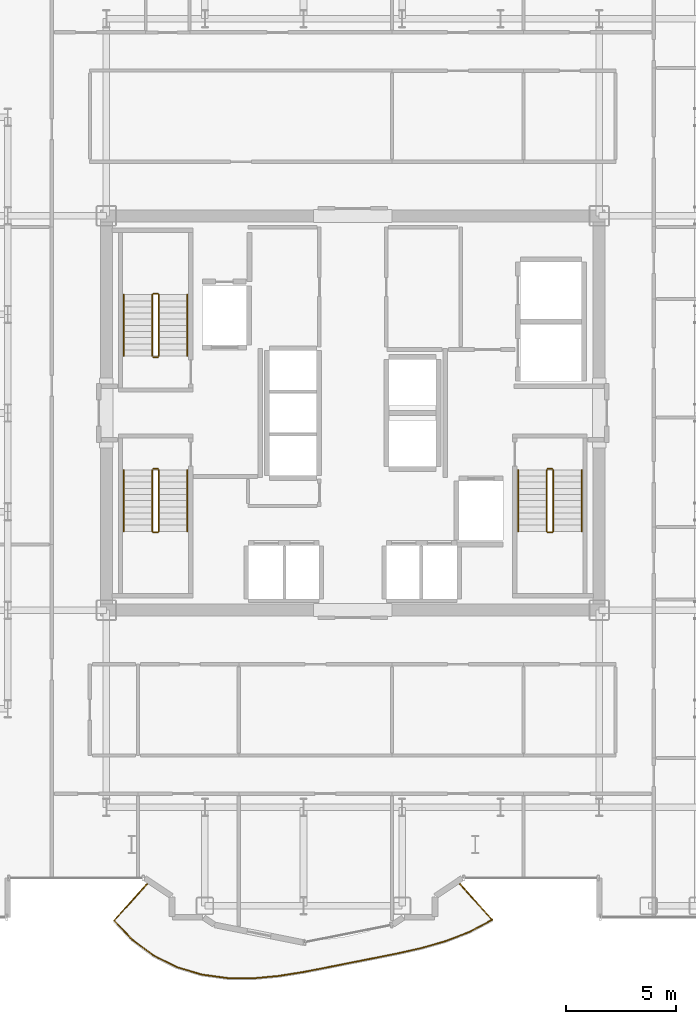
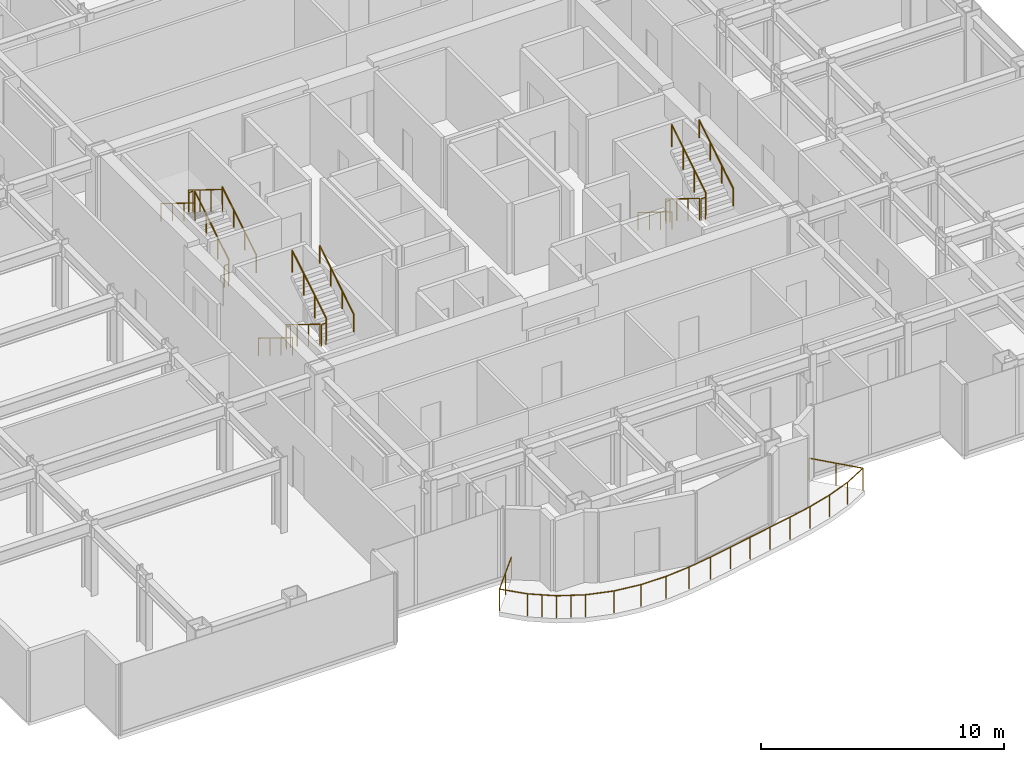
# One storey, part 21 of 22: 19 railings.
"""IFC4 building model written with IfcOpenShell, lengths in metres."""

from ifc_helpers import new_model, si_unit, direction, frame, origin, origin_2d, place, context, subcontext, project, spatial, circle, extrude, material, type_object, element, save


model = new_model("IFC4")

# Units and contexts
model_context = context("Model", 3, precision=1e-05, world=origin(), true_north=direction((0.0, 1.0)))
body_context = subcontext(model_context, "Body", "Model", "MODEL_VIEW")
ifc_project = project(units=[si_unit("LENGTHUNIT", "METRE"), si_unit("AREAUNIT", "SQUARE_METRE"), si_unit("VOLUMEUNIT", "CUBIC_METRE"), si_unit("PLANEANGLEUNIT", "RADIAN"), si_unit("MASSUNIT", "GRAM", prefix="KILO")], contexts=[model_context])

# Site, building, storey
site_placement = place(None, origin())
site = spatial("IfcSite", under=ifc_project, at=site_placement, CompositionType="ELEMENT")
building_placement = place(site_placement, origin())
building = spatial("IfcBuilding", under=site, at=building_placement, Name="Nefas-Gora Pilgrimage Tower", CompositionType="ELEMENT")
storey_placement = place(building_placement, frame((0.0, 0.0, 179.199951171875)))
storey = spatial("IfcBuildingStorey", under=building, at=storey_placement, Name="L44", CompositionType="ELEMENT", Elevation=179.199951171875)

# Railings
ifc_material_1 = material(Name="Laminated safety glass and stainless steel", Category="steel")
railing_type_1 = type_object("IfcRailingType", Name="RLG-BAL-1100", PredefinedType="BALUSTRADE", material=ifc_material_1)
railing_1_placement = place(storey_placement, frame((-9.302490234375, -21.402587890625, 0.0)))
element("IfcRailing", 1, at=railing_1_placement, inside=storey, type_object=railing_type_1, Name="L44 Wave Balcony Balustrade S2", PredefinedType="BALUSTRADE", context=body_context, shape_type="SweptSolid", body=[
    extrude(circle(Radius=0.02392578125, at=origin_2d()), frame((0.0, 0.0, 1.09619140625), z_axis=(-0.669135077133, -0.74314079995, 0.0), x_axis=(0.74314079995, -0.669135077133, 0.0)), (0.0, 0.0, 1.0), 2.375244140625),
    extrude(circle(Radius=0.02392578125, at=origin_2d()), frame((-1.58935546875, -1.76513671875, 1.09619140625), z_axis=(0.68750179514, -0.726182677898, 0.0), x_axis=(0.726182677898, 0.68750179514, 0.0)), (0.0, 0.0, 1.0), 1.19921875),
    extrude(circle(Radius=0.02392578125, at=origin_2d()), frame((-0.764892578125, -2.635986328125, 1.09619140625), z_axis=(0.801437477804, -0.59807856438, 0.0), x_axis=(0.59807856438, 0.801437477804, 0.0)), (0.0, 0.0, 1.0), 1.200439453125),
    extrude(circle(Radius=0.02392578125, at=origin_2d()), frame((0.197265625, -3.35400390625, 1.09619140625), z_axis=(0.89467105907, -0.44672552654, 0.0), x_axis=(0.44672552654, 0.89467105907, 0.0)), (0.0, 0.0, 1.0), 1.20068359375),
    extrude(circle(Radius=0.02392578125, at=origin_2d()), frame((1.271484375, -3.890380859375, 1.09619140625), z_axis=(0.958038938913, -0.286638084571, 0.0), x_axis=(0.286638084571, 0.958038938913, 0.0)), (0.0, 0.0, 1.0), 1.19921875),
    extrude(circle(Radius=0.02392578125, at=origin_2d()), frame((2.42041015625, -4.234130859375, 1.09619140625), z_axis=(0.990887292095, -0.134693631496, 0.0), x_axis=(0.134693631496, 0.990887292095, 0.0)), (0.0, 0.0, 1.0), 1.194580078125),
    extrude(circle(Radius=0.02392578125, at=origin_2d()), frame((3.60400390625, -4.39501953125, 1.09619140625), z_axis=(0.999987695818, -0.004960666536, 0.0), x_axis=(0.004960666536, 0.999987695818, 0.0)), (0.0, 0.0, 1.0), 1.18115234375),
    extrude(circle(Radius=0.02392578125, at=origin_2d()), frame((4.78515625, -4.40087890625, 1.09619140625), z_axis=(0.995572807418, 0.093993537703, 0.0), x_axis=(-0.093993537703, 0.995572807418, 0.0)), (0.0, 0.0, 1.0), 1.158447265625),
    extrude(circle(Radius=0.02392578125, at=origin_2d()), frame((5.9384765625, -4.2919921875, 1.09619140625), z_axis=(0.98740955461, 0.15818461197, 0.0), x_axis=(-0.15818461197, 0.98740955461, 0.0)), (0.0, 0.0, 1.0), 1.128173828125),
    extrude(circle(Radius=0.02392578125, at=origin_2d()), frame((7.052490234375, -4.113525390625, 1.09619140625), z_axis=(0.981742387209, 0.190215365199, 0.0), x_axis=(-0.190215365199, 0.981742387209, 0.0)), (0.0, 0.0, 1.0), 1.0986328125),
    extrude(circle(Radius=0.02392578125, at=origin_2d()), frame((8.131103515625, -3.904541015625, 1.09619140625), z_axis=(0.980414901531, 0.196943191949, 0.0), x_axis=(-0.196943191949, 0.980414901531, 0.0)), (0.0, 0.0, 1.0), 1.07861328125),
    extrude(circle(Radius=0.02392578125, at=origin_2d()), frame((9.1884765625, -3.692138671875, 1.09619140625), z_axis=(0.981315429712, 0.192405892346, 0.0), x_axis=(-0.192405892346, 0.981315429712, 0.0)), (0.0, 0.0, 1.0), 1.075927734375),
    extrude(circle(Radius=0.02392578125, at=origin_2d()), frame((10.244384765625, -3.485107421875, 1.09619140625), z_axis=(0.980846406589, 0.194782767929, 0.0), x_axis=(-0.194782767929, 0.980846406589, 0.0)), (0.0, 0.0, 1.0), 1.091796875),
    extrude(circle(Radius=0.02392578125, at=origin_2d()), frame((11.315185546875, -3.2724609375, 1.09619140625), z_axis=(0.975857703496, 0.218407285884, 0.0), x_axis=(-0.218407285884, 0.975857703496, 0.0)), (0.0, 0.0, 1.0), 1.1201171875),
    extrude(circle(Radius=0.02392578125, at=origin_2d()), frame((12.408203125, -3.02783203125, 1.09619140625), z_axis=(0.962066425729, 0.272815308377, 0.0), x_axis=(-0.272815308377, 0.962066425729, 0.0)), (0.0, 0.0, 1.0), 1.15087890625),
    extrude(circle(Radius=0.02392578125, at=origin_2d()), frame((13.515380859375, -2.7138671875, 1.09619140625), z_axis=(0.933666294474, 0.358144175665, 0.0), x_axis=(-0.358144175665, 0.933666294474, 0.0)), (0.0, 0.0, 1.0), 1.17578125),
    extrude(circle(Radius=0.02392578125, at=origin_2d()), frame((14.61328125, -2.292724609375, 1.09619140625), z_axis=(0.883049407943, 0.469280026351, 0.0), x_axis=(-0.469280026351, 0.883049407943, 0.0)), (0.0, 0.0, 1.0), 1.19189453125),
    extrude(circle(Radius=0.02392578125, at=origin_2d()), frame((15.665771484375, -1.7333984375, 1.09619140625), z_axis=(-0.669138195153, 0.743137992427, 0.0), x_axis=(-0.743137992427, -0.669138195153, 0.0)), (0.0, 0.0, 1.0), 2.33251953125),
    extrude(circle(Radius=0.02099609375, at=origin_2d()), origin(), (0.0, 0.0, 1.0), 1.072021484375),
    extrude(circle(Radius=0.02099609375, at=origin_2d()), frame((-0.794677734375, -0.882568359375, 0.0)), (0.0, 0.0, 1.0), 1.072021484375),
    extrude(circle(Radius=0.02099609375, at=origin_2d()), frame((-1.58935546875, -1.76513671875, 0.0)), (0.0, 0.0, 1.0), 1.072021484375),
    extrude(circle(Radius=0.02099609375, at=origin_2d()), frame((-0.764892578125, -2.635986328125, 0.0)), (0.0, 0.0, 1.0), 1.072021484375),
    extrude(circle(Radius=0.02099609375, at=origin_2d()), frame((-0.28369140625, -2.9951171875, 0.0)), (0.0, 0.0, 1.0), 1.072021484375),
    extrude(circle(Radius=0.02099609375, at=origin_2d()), frame((0.197265625, -3.35400390625, 0.0)), (0.0, 0.0, 1.0), 1.072021484375),
    extrude(circle(Radius=0.02099609375, at=origin_2d()), frame((0.734375, -3.6220703125, 0.0)), (0.0, 0.0, 1.0), 1.072021484375),
    extrude(circle(Radius=0.02099609375, at=origin_2d()), frame((1.271484375, -3.890380859375, 0.0)), (0.0, 0.0, 1.0), 1.072021484375),
    extrude(circle(Radius=0.02099609375, at=origin_2d()), frame((2.42041015625, -4.234130859375, 0.0)), (0.0, 0.0, 1.0), 1.072021484375),
    extrude(circle(Radius=0.02099609375, at=origin_2d()), frame((3.60400390625, -4.39501953125, 0.0)), (0.0, 0.0, 1.0), 1.072021484375),
    extrude(circle(Radius=0.02099609375, at=origin_2d()), frame((4.78515625, -4.40087890625, 0.0)), (0.0, 0.0, 1.0), 1.072021484375),
    extrude(circle(Radius=0.02099609375, at=origin_2d()), frame((5.9384765625, -4.2919921875, 0.0)), (0.0, 0.0, 1.0), 1.072021484375),
    extrude(circle(Radius=0.02099609375, at=origin_2d()), frame((7.052490234375, -4.113525390625, 0.0)), (0.0, 0.0, 1.0), 1.072021484375),
    extrude(circle(Radius=0.02099609375, at=origin_2d()), frame((8.131103515625, -3.904541015625, 0.0)), (0.0, 0.0, 1.0), 1.072021484375),
    extrude(circle(Radius=0.02099609375, at=origin_2d()), frame((9.1884765625, -3.692138671875, 0.0)), (0.0, 0.0, 1.0), 1.072021484375),
    extrude(circle(Radius=0.02099609375, at=origin_2d()), frame((10.244384765625, -3.485107421875, 0.0)), (0.0, 0.0, 1.0), 1.072021484375),
    extrude(circle(Radius=0.02099609375, at=origin_2d()), frame((11.315185546875, -3.2724609375, 0.0)), (0.0, 0.0, 1.0), 1.072021484375),
    extrude(circle(Radius=0.02099609375, at=origin_2d()), frame((12.408203125, -3.02783203125, 0.0)), (0.0, 0.0, 1.0), 1.072021484375),
    extrude(circle(Radius=0.02099609375, at=origin_2d()), frame((13.515380859375, -2.7138671875, 0.0)), (0.0, 0.0, 1.0), 1.072021484375),
    extrude(circle(Radius=0.02099609375, at=origin_2d()), frame((14.61328125, -2.292724609375, 0.0)), (0.0, 0.0, 1.0), 1.072021484375),
    extrude(circle(Radius=0.02099609375, at=origin_2d()), frame((15.665771484375, -1.7333984375, 0.0)), (0.0, 0.0, 1.0), 1.072021484375),
    extrude(circle(Radius=0.02099609375, at=origin_2d()), frame((14.88525390625, -0.86669921875, 0.0)), (0.0, 0.0, 1.0), 1.072021484375),
    extrude(circle(Radius=0.02099609375, at=origin_2d()), frame((14.10498046875, 0.0, 0.0)), (0.0, 0.0, 1.0), 1.072021484375),
])
ifc_material_2 = material(Name="Painted galvanised steel", Category="steel")
railing_type_2 = type_object("IfcRailingType", Name="RLG-STR-GUARD-1100", PredefinedType="GUARDRAIL", material=ifc_material_2)
railing_2_placement = place(storey_placement, frame((-8.85009765625, 2.60009765625, 0.1728515625)))
element("IfcRailing", 2, at=railing_2_placement, inside=storey, type_object=railing_type_2, Name="L44 ST-01 stair guard 1", PredefinedType="GUARDRAIL", context=body_context, shape_type="SweptSolid", body=[
    extrude(circle(Radius=0.02392578125, at=origin_2d()), frame((0.0, 0.0, 1.09619140625), z_axis=(0.0, 0.851069175582, 0.525053576669), x_axis=(-1.0, 0.0, 0.0)), (0.0, 0.0, 1.0), 3.289794921875),
    extrude(circle(Radius=0.02099609375, at=origin_2d()), origin(), (0.0, 0.0, 1.0), 1.072021484375),
    extrude(circle(Radius=0.02099609375, at=origin_2d()), frame((0.0, 0.933349609375, 0.57568359375)), (0.0, 0.0, 1.0), 1.072021484375),
    extrude(circle(Radius=0.02099609375, at=origin_2d()), frame((0.0, 1.866455078125, 1.151611328125)), (0.0, 0.0, 1.0), 1.072021484375),
    extrude(circle(Radius=0.02099609375, at=origin_2d()), frame((0.0, 2.7998046875, 1.727294921875)), (0.0, 0.0, 1.0), 1.072021484375),
])
railing_3_placement = place(storey_placement, frame((-8.89990234375, 5.449951171875, 1.900146484375)))
element("IfcRailing", 3, at=railing_3_placement, inside=storey, type_object=railing_type_2, Name="L44 ST-01 stair guard 2", PredefinedType="GUARDRAIL", context=body_context, shape_type="SweptSolid", body=[
    extrude(circle(Radius=0.02392578125, at=origin_2d()), frame((0.0, 0.0, 1.09619140625), z_axis=(-1.0, 0.0, 0.0), x_axis=(0.0, -1.0, 0.0)), (0.0, 0.0, 1.0), 0.2001953125),
    extrude(circle(Radius=0.02099609375, at=origin_2d()), origin(), (0.0, 0.0, 1.0), 1.072021484375),
    extrude(circle(Radius=0.02099609375, at=origin_2d()), frame((-0.2001953125, 0.0, 0.0)), (0.0, 0.0, 1.0), 1.072021484375),
])
railing_4_placement = place(storey_placement, frame((-9.14990234375, 5.39990234375, 2.07275390625)))
element("IfcRailing", 4, at=railing_4_placement, inside=storey, type_object=railing_type_2, Name="L44 ST-01 stair guard 3", PredefinedType="GUARDRAIL", context=body_context, shape_type="SweptSolid", body=[
    extrude(circle(Radius=0.02392578125, at=origin_2d()), frame((0.0, 0.0, 1.09619140625), z_axis=(0.0, -0.851069175582, 0.525053576669), x_axis=(1.0, 0.0, 0.0)), (0.0, 0.0, 1.0), 3.289794921875),
    extrude(circle(Radius=0.02099609375, at=origin_2d()), origin(), (0.0, 0.0, 1.0), 1.072021484375),
    extrude(circle(Radius=0.02099609375, at=origin_2d()), frame((0.0, -0.933349609375, 0.57568359375)), (0.0, 0.0, 1.0), 1.072021484375),
    extrude(circle(Radius=0.02099609375, at=origin_2d()), frame((0.0, -1.866455078125, 1.151611328125)), (0.0, 0.0, 1.0), 1.072021484375),
    extrude(circle(Radius=0.02099609375, at=origin_2d()), frame((0.0, -2.7998046875, 1.727294921875)), (0.0, 0.0, 1.0), 1.072021484375),
])
railing_5_placement = place(storey_placement, frame((-8.89990234375, 2.550048828125, 0.0)))
element("IfcRailing", 5, at=railing_5_placement, inside=storey, type_object=railing_type_2, Name="L44 ST-01 stair guard 4", PredefinedType="GUARDRAIL", context=body_context, shape_type="SweptSolid", body=[
    extrude(circle(Radius=0.02392578125, at=origin_2d()), frame((0.0, 0.0, 1.09619140625), z_axis=(-1.0, 0.0, 0.0), x_axis=(0.0, -1.0, 0.0)), (0.0, 0.0, 1.0), 0.2001953125),
    extrude(circle(Radius=0.02099609375, at=origin_2d()), origin(), (0.0, 0.0, 1.0), 1.072021484375),
    extrude(circle(Radius=0.02099609375, at=origin_2d()), frame((-0.2001953125, 0.0, 0.0)), (0.0, 0.0, 1.0), 1.072021484375),
])
railing_6_placement = place(storey_placement, frame((8.85009765625, -2.60009765625, 0.1728515625)))
element("IfcRailing", 6, at=railing_6_placement, inside=storey, type_object=railing_type_2, Name="L44 ST-02 stair guard 1", PredefinedType="GUARDRAIL", context=body_context, shape_type="SweptSolid", body=[
    extrude(circle(Radius=0.02392578125, at=origin_2d()), frame((0.0, 0.0, 1.09619140625), z_axis=(0.0, -0.851069175582, 0.525053576669), x_axis=(1.0, 0.0, 0.0)), (0.0, 0.0, 1.0), 3.289794921875),
    extrude(circle(Radius=0.02099609375, at=origin_2d()), origin(), (0.0, 0.0, 1.0), 1.072021484375),
    extrude(circle(Radius=0.02099609375, at=origin_2d()), frame((0.0, -0.933349609375, 0.57568359375)), (0.0, 0.0, 1.0), 1.072021484375),
    extrude(circle(Radius=0.02099609375, at=origin_2d()), frame((0.0, -1.866455078125, 1.151611328125)), (0.0, 0.0, 1.0), 1.072021484375),
    extrude(circle(Radius=0.02099609375, at=origin_2d()), frame((0.0, -2.7998046875, 1.727294921875)), (0.0, 0.0, 1.0), 1.072021484375),
])
railing_7_placement = place(storey_placement, frame((8.89990234375, -5.449951171875, 1.900146484375)))
element("IfcRailing", 7, at=railing_7_placement, inside=storey, type_object=railing_type_2, Name="L44 ST-02 stair guard 2", PredefinedType="GUARDRAIL", context=body_context, shape_type="SweptSolid", body=[
    extrude(circle(Radius=0.02392578125, at=origin_2d()), frame((0.0, 0.0, 1.09619140625), z_axis=(1.0, 0.0, 0.0), x_axis=(0.0, 1.0, 0.0)), (0.0, 0.0, 1.0), 0.2001953125),
    extrude(circle(Radius=0.02099609375, at=origin_2d()), origin(), (0.0, 0.0, 1.0), 1.072021484375),
    extrude(circle(Radius=0.02099609375, at=origin_2d()), frame((0.2001953125, 0.0, 0.0)), (0.0, 0.0, 1.0), 1.072021484375),
])
railing_8_placement = place(storey_placement, frame((9.14990234375, -5.39990234375, 2.07275390625)))
element("IfcRailing", 8, at=railing_8_placement, inside=storey, type_object=railing_type_2, Name="L44 ST-02 stair guard 3", PredefinedType="GUARDRAIL", context=body_context, shape_type="SweptSolid", body=[
    extrude(circle(Radius=0.02392578125, at=origin_2d()), frame((0.0, 0.0, 1.09619140625), z_axis=(0.0, 0.851069175582, 0.525053576669), x_axis=(-1.0, 0.0, 0.0)), (0.0, 0.0, 1.0), 3.289794921875),
    extrude(circle(Radius=0.02099609375, at=origin_2d()), origin(), (0.0, 0.0, 1.0), 1.072021484375),
    extrude(circle(Radius=0.02099609375, at=origin_2d()), frame((0.0, 0.933349609375, 0.57568359375)), (0.0, 0.0, 1.0), 1.072021484375),
    extrude(circle(Radius=0.02099609375, at=origin_2d()), frame((0.0, 1.866455078125, 1.151611328125)), (0.0, 0.0, 1.0), 1.072021484375),
    extrude(circle(Radius=0.02099609375, at=origin_2d()), frame((0.0, 2.7998046875, 1.727294921875)), (0.0, 0.0, 1.0), 1.072021484375),
])
railing_9_placement = place(storey_placement, frame((8.89990234375, -2.550048828125, 0.0)))
element("IfcRailing", 9, at=railing_9_placement, inside=storey, type_object=railing_type_2, Name="L44 ST-02 stair guard 4", PredefinedType="GUARDRAIL", context=body_context, shape_type="SweptSolid", body=[
    extrude(circle(Radius=0.02392578125, at=origin_2d()), frame((0.0, 0.0, 1.09619140625), z_axis=(1.0, 0.0, 0.0), x_axis=(0.0, 1.0, 0.0)), (0.0, 0.0, 1.0), 0.2001953125),
    extrude(circle(Radius=0.02099609375, at=origin_2d()), origin(), (0.0, 0.0, 1.0), 1.072021484375),
    extrude(circle(Radius=0.02099609375, at=origin_2d()), frame((0.2001953125, 0.0, 0.0)), (0.0, 0.0, 1.0), 1.072021484375),
])
railing_10_placement = place(storey_placement, frame((-9.14990234375, -2.60009765625, 0.1728515625)))
element("IfcRailing", 10, at=railing_10_placement, inside=storey, type_object=railing_type_2, Name="L44 ST-03 stair guard 1", PredefinedType="GUARDRAIL", context=body_context, shape_type="SweptSolid", body=[
    extrude(circle(Radius=0.02392578125, at=origin_2d()), frame((0.0, 0.0, 1.09619140625), z_axis=(0.0, -0.851069175582, 0.525053576669), x_axis=(1.0, 0.0, 0.0)), (0.0, 0.0, 1.0), 3.289794921875),
    extrude(circle(Radius=0.02099609375, at=origin_2d()), origin(), (0.0, 0.0, 1.0), 1.072021484375),
    extrude(circle(Radius=0.02099609375, at=origin_2d()), frame((0.0, -0.933349609375, 0.57568359375)), (0.0, 0.0, 1.0), 1.072021484375),
    extrude(circle(Radius=0.02099609375, at=origin_2d()), frame((0.0, -1.866455078125, 1.151611328125)), (0.0, 0.0, 1.0), 1.072021484375),
    extrude(circle(Radius=0.02099609375, at=origin_2d()), frame((0.0, -2.7998046875, 1.727294921875)), (0.0, 0.0, 1.0), 1.072021484375),
])
railing_11_placement = place(storey_placement, frame((-9.10009765625, -5.449951171875, 1.900146484375)))
element("IfcRailing", 11, at=railing_11_placement, inside=storey, type_object=railing_type_2, Name="L44 ST-03 stair guard 2", PredefinedType="GUARDRAIL", context=body_context, shape_type="SweptSolid", body=[
    extrude(circle(Radius=0.02392578125, at=origin_2d()), frame((0.0, 0.0, 1.09619140625), z_axis=(1.0, 0.0, 0.0), x_axis=(0.0, 1.0, 0.0)), (0.0, 0.0, 1.0), 0.2001953125),
    extrude(circle(Radius=0.02099609375, at=origin_2d()), origin(), (0.0, 0.0, 1.0), 1.072021484375),
    extrude(circle(Radius=0.02099609375, at=origin_2d()), frame((0.2001953125, 0.0, 0.0)), (0.0, 0.0, 1.0), 1.072021484375),
])
railing_12_placement = place(storey_placement, frame((-8.85009765625, -5.39990234375, 2.07275390625)))
element("IfcRailing", 12, at=railing_12_placement, inside=storey, type_object=railing_type_2, Name="L44 ST-03 stair guard 3", PredefinedType="GUARDRAIL", context=body_context, shape_type="SweptSolid", body=[
    extrude(circle(Radius=0.02392578125, at=origin_2d()), frame((0.0, 0.0, 1.09619140625), z_axis=(0.0, 0.851069175582, 0.525053576669), x_axis=(-1.0, 0.0, 0.0)), (0.0, 0.0, 1.0), 3.289794921875),
    extrude(circle(Radius=0.02099609375, at=origin_2d()), origin(), (0.0, 0.0, 1.0), 1.072021484375),
    extrude(circle(Radius=0.02099609375, at=origin_2d()), frame((0.0, 0.933349609375, 0.57568359375)), (0.0, 0.0, 1.0), 1.072021484375),
    extrude(circle(Radius=0.02099609375, at=origin_2d()), frame((0.0, 1.866455078125, 1.151611328125)), (0.0, 0.0, 1.0), 1.072021484375),
    extrude(circle(Radius=0.02099609375, at=origin_2d()), frame((0.0, 2.7998046875, 1.727294921875)), (0.0, 0.0, 1.0), 1.072021484375),
])
railing_13_placement = place(storey_placement, frame((-9.10009765625, -2.550048828125, 0.0)))
element("IfcRailing", 13, at=railing_13_placement, inside=storey, type_object=railing_type_2, Name="L44 ST-03 stair guard 4", PredefinedType="GUARDRAIL", context=body_context, shape_type="SweptSolid", body=[
    extrude(circle(Radius=0.02392578125, at=origin_2d()), frame((0.0, 0.0, 1.09619140625), z_axis=(1.0, 0.0, 0.0), x_axis=(0.0, 1.0, 0.0)), (0.0, 0.0, 1.0), 0.2001953125),
    extrude(circle(Radius=0.02099609375, at=origin_2d()), origin(), (0.0, 0.0, 1.0), 1.072021484375),
    extrude(circle(Radius=0.02099609375, at=origin_2d()), frame((0.2001953125, 0.0, 0.0)), (0.0, 0.0, 1.0), 1.072021484375),
])
ifc_material_3 = material(Name="Brushed stainless steel", Category="steel")
railing_type_3 = type_object("IfcRailingType", Name="RLG-STR-HAND-900", PredefinedType="HANDRAIL", material=ifc_material_3)
railing_14_placement = place(storey_placement, frame((-7.550048828125, 2.60009765625, 0.1728515625)))
element("IfcRailing", 14, at=railing_14_placement, inside=storey, type_object=railing_type_3, Name="L44 ST-01 stair handrail 1", PredefinedType="HANDRAIL", context=body_context, shape_type="SweptSolid", body=[
    extrude(circle(Radius=0.02392578125, at=origin_2d()), frame((0.0, 0.0, 0.8759765625), z_axis=(0.0, 0.851069175582, 0.525053576669), x_axis=(-1.0, 0.0, 0.0)), (0.0, 0.0, 1.0), 3.289794921875),
    extrude(circle(Radius=0.02099609375, at=origin_2d()), origin(), (0.0, 0.0, 1.0), 0.851806640625),
    extrude(circle(Radius=0.02099609375, at=origin_2d()), frame((0.0, 0.933349609375, 0.57568359375)), (0.0, 0.0, 1.0), 0.851806640625),
    extrude(circle(Radius=0.02099609375, at=origin_2d()), frame((0.0, 1.866455078125, 1.151611328125)), (0.0, 0.0, 1.0), 0.851806640625),
    extrude(circle(Radius=0.02099609375, at=origin_2d()), frame((0.0, 2.7998046875, 1.727294921875)), (0.0, 0.0, 1.0), 0.851806640625),
])
for number, where, name in (
    (15, (-10.449951171875, 5.39990234375, 2.07275390625), "L44 ST-01 stair handrail 2"),
    (16, (7.550048828125, -2.60009765625, 0.1728515625), "L44 ST-02 stair handrail 1"),
):
    element("IfcRailing", number, at=place(storey_placement, frame(where)), inside=storey, type_object=railing_type_3, Name=name, PredefinedType="HANDRAIL", context=body_context, shape_type="SweptSolid", body=[
        extrude(circle(Radius=0.02392578125, at=origin_2d()), frame((0.0, 0.0, 0.8759765625), z_axis=(0.0, -0.851069175582, 0.525053576669), x_axis=(1.0, 0.0, 0.0)), (0.0, 0.0, 1.0), 3.289794921875),
        extrude(circle(Radius=0.02099609375, at=origin_2d()), origin(), (0.0, 0.0, 1.0), 0.851806640625),
        extrude(circle(Radius=0.02099609375, at=origin_2d()), frame((0.0, -0.933349609375, 0.57568359375)), (0.0, 0.0, 1.0), 0.851806640625),
        extrude(circle(Radius=0.02099609375, at=origin_2d()), frame((0.0, -1.866455078125, 1.151611328125)), (0.0, 0.0, 1.0), 0.851806640625),
        extrude(circle(Radius=0.02099609375, at=origin_2d()), frame((0.0, -2.7998046875, 1.727294921875)), (0.0, 0.0, 1.0), 0.851806640625),
    ])
railing_15_placement = place(storey_placement, frame((10.449951171875, -5.39990234375, 2.07275390625)))
element("IfcRailing", 17, at=railing_15_placement, inside=storey, type_object=railing_type_3, Name="L44 ST-02 stair handrail 2", PredefinedType="HANDRAIL", context=body_context, shape_type="SweptSolid", body=[
    extrude(circle(Radius=0.02392578125, at=origin_2d()), frame((0.0, 0.0, 0.8759765625), z_axis=(0.0, 0.851069175582, 0.525053576669), x_axis=(-1.0, 0.0, 0.0)), (0.0, 0.0, 1.0), 3.289794921875),
    extrude(circle(Radius=0.02099609375, at=origin_2d()), origin(), (0.0, 0.0, 1.0), 0.851806640625),
    extrude(circle(Radius=0.02099609375, at=origin_2d()), frame((0.0, 0.933349609375, 0.57568359375)), (0.0, 0.0, 1.0), 0.851806640625),
    extrude(circle(Radius=0.02099609375, at=origin_2d()), frame((0.0, 1.866455078125, 1.151611328125)), (0.0, 0.0, 1.0), 0.851806640625),
    extrude(circle(Radius=0.02099609375, at=origin_2d()), frame((0.0, 2.7998046875, 1.727294921875)), (0.0, 0.0, 1.0), 0.851806640625),
])
railing_16_placement = place(storey_placement, frame((-10.449951171875, -2.60009765625, 0.1728515625)))
element("IfcRailing", 18, at=railing_16_placement, inside=storey, type_object=railing_type_3, Name="L44 ST-03 stair handrail 1", PredefinedType="HANDRAIL", context=body_context, shape_type="SweptSolid", body=[
    extrude(circle(Radius=0.02392578125, at=origin_2d()), frame((0.0, 0.0, 0.8759765625), z_axis=(0.0, -0.851069175582, 0.525053576669), x_axis=(1.0, 0.0, 0.0)), (0.0, 0.0, 1.0), 3.289794921875),
    extrude(circle(Radius=0.02099609375, at=origin_2d()), origin(), (0.0, 0.0, 1.0), 0.851806640625),
    extrude(circle(Radius=0.02099609375, at=origin_2d()), frame((0.0, -0.933349609375, 0.57568359375)), (0.0, 0.0, 1.0), 0.851806640625),
    extrude(circle(Radius=0.02099609375, at=origin_2d()), frame((0.0, -1.866455078125, 1.151611328125)), (0.0, 0.0, 1.0), 0.851806640625),
    extrude(circle(Radius=0.02099609375, at=origin_2d()), frame((0.0, -2.7998046875, 1.727294921875)), (0.0, 0.0, 1.0), 0.851806640625),
])
railing_17_placement = place(storey_placement, frame((-7.550048828125, -5.39990234375, 2.07275390625)))
element("IfcRailing", 19, at=railing_17_placement, inside=storey, type_object=railing_type_3, Name="L44 ST-03 stair handrail 2", PredefinedType="HANDRAIL", context=body_context, shape_type="SweptSolid", body=[
    extrude(circle(Radius=0.02392578125, at=origin_2d()), frame((0.0, 0.0, 0.8759765625), z_axis=(0.0, 0.851069175582, 0.525053576669), x_axis=(-1.0, 0.0, 0.0)), (0.0, 0.0, 1.0), 3.289794921875),
    extrude(circle(Radius=0.02099609375, at=origin_2d()), origin(), (0.0, 0.0, 1.0), 0.851806640625),
    extrude(circle(Radius=0.02099609375, at=origin_2d()), frame((0.0, 0.933349609375, 0.57568359375)), (0.0, 0.0, 1.0), 0.851806640625),
    extrude(circle(Radius=0.02099609375, at=origin_2d()), frame((0.0, 1.866455078125, 1.151611328125)), (0.0, 0.0, 1.0), 0.851806640625),
    extrude(circle(Radius=0.02099609375, at=origin_2d()), frame((0.0, 2.7998046875, 1.727294921875)), (0.0, 0.0, 1.0), 0.851806640625),
])

save(model, "model.ifc")
